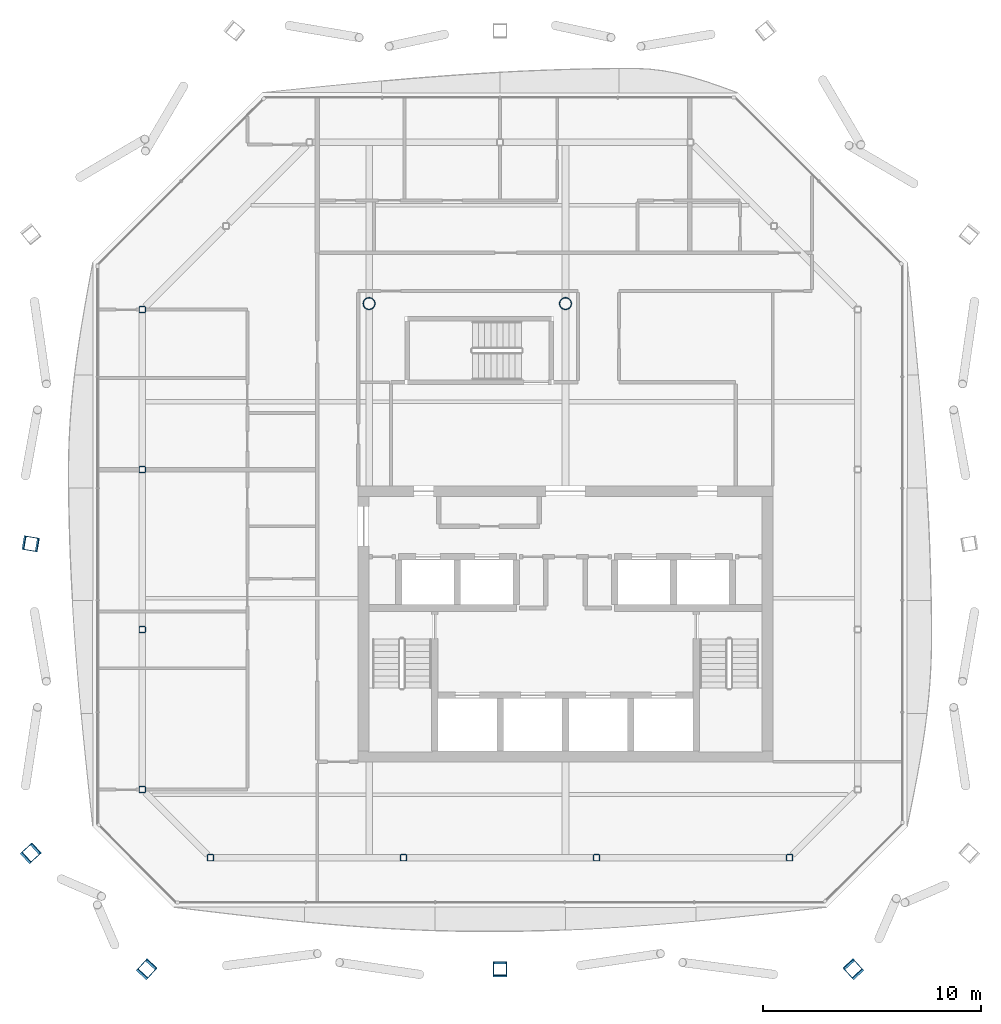
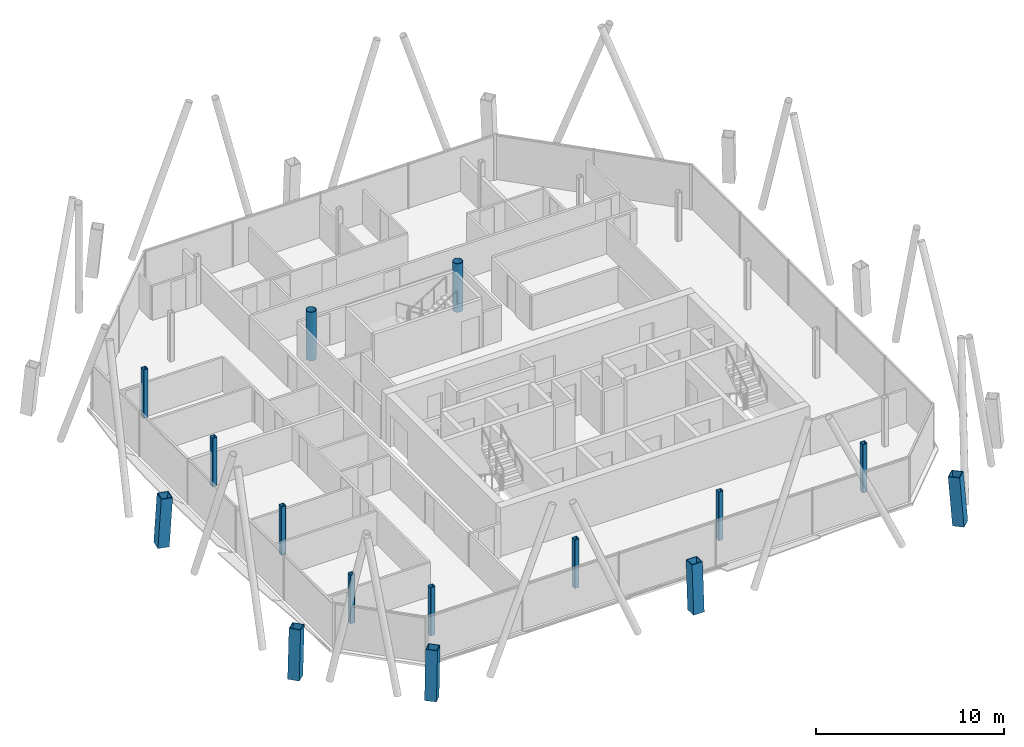
# One storey, part 1 of 17: 15 columns.
"""IFC4 building model written with IfcOpenShell, lengths in metres."""

from ifc_helpers import new_model, si_unit, direction, frame, origin, origin_2d, place, context, subcontext, project, spatial, hollow_rectangle, hollow_circle, extrude, material, material_profile, profile_set, type_object, element, save


model = new_model("IFC4")

# Units and contexts
model_context = context("Model", 3, precision=1e-05, world=origin(), true_north=direction((0.0, 1.0)))
body_context = subcontext(model_context, "Body", "Model", "MODEL_VIEW")
ifc_project = project(units=[si_unit("LENGTHUNIT", "METRE"), si_unit("AREAUNIT", "SQUARE_METRE"), si_unit("VOLUMEUNIT", "CUBIC_METRE"), si_unit("PLANEANGLEUNIT", "RADIAN"), si_unit("MASSUNIT", "GRAM", prefix="KILO")], contexts=[model_context])

# Site, building, storey
site_placement = place(None, origin())
site = spatial("IfcSite", under=ifc_project, at=site_placement, CompositionType="ELEMENT")
building_placement = place(site_placement, origin())
building = spatial("IfcBuilding", under=site, at=building_placement, Name="Tskaro Facet Tower", CompositionType="ELEMENT")
storey_placement = place(building_placement, frame((0.0, 0.0, 226.64990234375)))
storey = spatial("IfcBuildingStorey", under=building, at=storey_placement, Name="L58", CompositionType="ELEMENT", Elevation=226.64990234375)

# Columns
ifc_material_1 = material(Name="Steel S355J2", Category="steel")
ifc_material_profile_1 = material_profile(ifc_material_1, hollow_rectangle(XDim=0.64990234375, YDim=0.64990234375, WallThickness=0.0400390625, at=origin_2d()), Name="BOX 650x650x40")
ifc_profile_set_1 = profile_set([ifc_material_profile_1], Name="Steel S355J2")
column_type_1 = type_object("IfcColumnType", Name="BOX 650x650x40 mega column", PredefinedType="COLUMN", material=ifc_profile_set_1)
column_1_placement = place(storey_placement, frame((-19.219970703125, -21.537109375, 0.0), z_axis=(0.052847648367, 0.057946982858, 0.996919893091), x_axis=(-0.738869281565, 0.673848784787, 0.0)))
element("IfcColumn", 1, at=column_1_placement, inside=storey, type_object=column_type_1, Name="BOX 650x650x40 MC01/5", PredefinedType="COLUMN", context=body_context, shape_type="SweptSolid", body=[
    extrude(hollow_rectangle(XDim=0.64990234375, YDim=0.64990234375, WallThickness=0.0400390625, at=origin_2d()), origin(), (0.0, 0.0, 1.0), 3.159912109375),
])
column_2_placement = place(storey_placement, frame((-3.0, -21.537109375, 0.0), z_axis=(0.0, 0.058028072061, 0.998314951733), x_axis=(-1.0, 0.0, 0.0)))
element("IfcColumn", 2, at=column_2_placement, inside=storey, type_object=column_type_1, Name="BOX 650x650x40 MC02/5", PredefinedType="COLUMN", context=body_context, shape_type="SweptSolid", body=[
    extrude(hollow_rectangle(XDim=0.64990234375, YDim=0.64990234375, WallThickness=0.0400390625, at=origin_2d()), origin(), (0.0, 0.0, 1.0), 3.155517578125),
])
column_3_placement = place(storey_placement, frame((13.219970703125, -21.537109375, 0.0), z_axis=(-0.052847648367, 0.057946982858, 0.996919893091), x_axis=(-0.738869281565, -0.673848784787, 0.0)))
element("IfcColumn", 3, at=column_3_placement, inside=storey, type_object=column_type_1, Name="BOX 650x650x40 MC03/5", PredefinedType="COLUMN", context=body_context, shape_type="SweptSolid", body=[
    extrude(hollow_rectangle(XDim=0.64990234375, YDim=0.64990234375, WallThickness=0.0400390625, at=origin_2d()), origin(), (0.0, 0.0, 1.0), 3.159912109375),
])
column_4_placement = place(storey_placement, frame((-24.537109375, -2.001953125, 0.0), z_axis=(0.058025270901, -0.009825612539, 0.998266760578), x_axis=(0.166956611923, 0.985964243639, 0.0)))
element("IfcColumn", 4, at=column_4_placement, inside=storey, type_object=column_type_1, Name="BOX 650x650x40 MC11/5", PredefinedType="COLUMN", context=body_context, shape_type="SweptSolid", body=[
    extrude(hollow_rectangle(XDim=0.64990234375, YDim=0.64990234375, WallThickness=0.0400390625, at=origin_2d()), origin(), (0.0, 0.0, 1.0), 3.155517578125),
])
column_5_placement = place(storey_placement, frame((-24.537109375, -16.219970703125, 0.0), z_axis=(0.057946982858, 0.052847648367, 0.996919893091), x_axis=(-0.673848784787, 0.738869281565, 0.0)))
element("IfcColumn", 5, at=column_5_placement, inside=storey, type_object=column_type_1, Name="BOX 650x650x40 MC12/5", PredefinedType="COLUMN", context=body_context, shape_type="SweptSolid", body=[
    extrude(hollow_rectangle(XDim=0.64990234375, YDim=0.64990234375, WallThickness=0.0400390625, at=origin_2d()), origin(), (0.0, 0.0, 1.0), 3.159912109375),
])
ifc_material_2 = material(Name="Steel S355J2H", Category="steel")
ifc_material_profile_2 = material_profile(ifc_material_2, hollow_circle(Radius=0.279541015625, WallThickness=0.02490234375, at=origin_2d()), Name="CHS 559x25")
ifc_profile_set_2 = profile_set([ifc_material_profile_2], Name="Steel S355J2H")
column_type_2 = type_object("IfcColumnType", Name="CHS 559x25 interior column", PredefinedType="COLUMN", material=ifc_profile_set_2)
for number, where, z_axis, x_axis, name in (
    (6, (-9.0, 9.0, 0.0), (0.0, 0.0, 1.0), (1.0, 0.0, 0.0), "CHS 559x25 C3E/5"),
    (7, (0.0, 9.0, 0.0), (0.0, 0.0, 1.0), (1.0, 0.0, 0.0), "CHS 559x25 C4E/5"),
):
    element("IfcColumn", number, at=place(storey_placement, frame(where, z_axis=z_axis, x_axis=x_axis)), inside=storey, type_object=column_type_2, Name=name, PredefinedType="COLUMN", context=body_context, shape_type="SweptSolid", body=[
        extrude(hollow_circle(Radius=0.279541015625, WallThickness=0.02490234375, at=origin_2d()), origin(), (0.0, 0.0, 1.0), 3.150146484375),
    ])
ifc_material_profile_3 = material_profile(ifc_material_2, hollow_rectangle(XDim=0.300048828125, YDim=0.300048828125, WallThickness=0.02001953125, InnerFilletRadius=0.030029296875, OuterFilletRadius=0.050048828125, at=origin_2d()), Name="SHS 300x300x20")
ifc_profile_set_3 = profile_set([ifc_material_profile_3], Name="Steel S355J2H")
column_type_3 = type_object("IfcColumnType", Name="SHS 300x300x20 ring column", PredefinedType="COLUMN", material=ifc_profile_set_3)
for number, where, z_axis, x_axis, name in (
    (8, (-16.26806640625, -16.39111328125, 0.0), (0.0, 0.0, 1.0), (1.0, 0.0, 0.0), "SHS 300x300x20 RS-1/5"),
    (9, (-7.423095703125, -16.39111328125, 0.0), (0.0, 0.0, 1.0), (1.0, 0.0, 0.0), "SHS 300x300x20 RS-2/5"),
    (10, (1.423095703125, -16.39111328125, 0.0), (0.0, 0.0, 1.0), (1.0, 0.0, 0.0), "SHS 300x300x20 RS-3/5"),
    (11, (10.26806640625, -16.39111328125, 0.0), (0.0, 0.0, 1.0), (1.0, 0.0, 0.0), "SHS 300x300x20 RSE-1/5"),
    (12, (-19.39111328125, 8.72509765625, 0.0), (0.0, 0.0, 1.0), (1.0, 0.0, 0.0), "SHS 300x300x20 RW-1/5"),
    (13, (-19.39111328125, 1.39404296875, 0.0), (0.0, 0.0, 1.0), (1.0, 0.0, 0.0), "SHS 300x300x20 RW-2/5"),
    (14, (-19.39111328125, -5.93701171875, 0.0), (0.0, 0.0, 1.0), (1.0, 0.0, 0.0), "SHS 300x300x20 RW-3/5"),
    (15, (-19.39111328125, -13.26806640625, 0.0), (0.0, 0.0, 1.0), (1.0, 0.0, 0.0), "SHS 300x300x20 RSW-1/5"),
):
    element("IfcColumn", number, at=place(storey_placement, frame(where, z_axis=z_axis, x_axis=x_axis)), inside=storey, type_object=column_type_3, Name=name, PredefinedType="COLUMN", context=body_context, shape_type="SweptSolid", body=[
        extrude(hollow_rectangle(XDim=0.300048828125, YDim=0.300048828125, WallThickness=0.02001953125, InnerFilletRadius=0.030029296875, OuterFilletRadius=0.050048828125, at=origin_2d()), origin(), (0.0, 0.0, 1.0), 3.150146484375),
    ])

save(model, "model.ifc")
